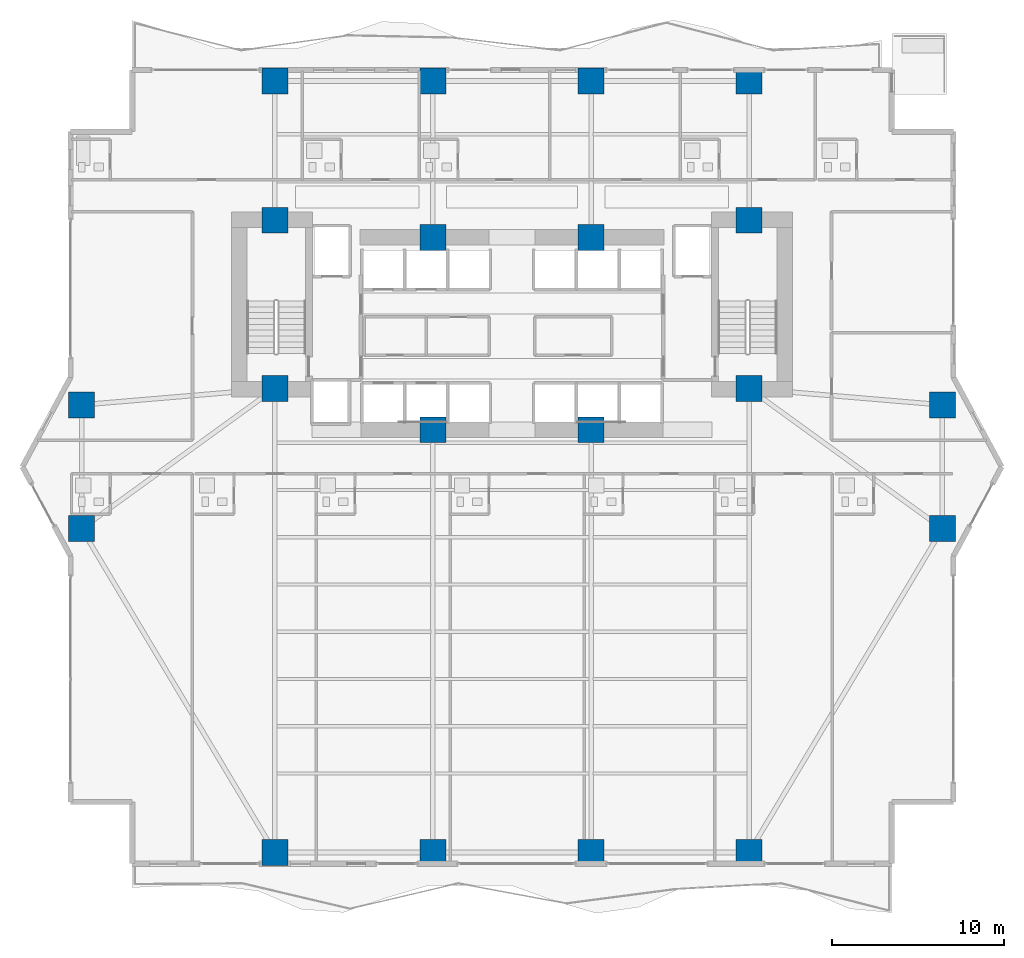
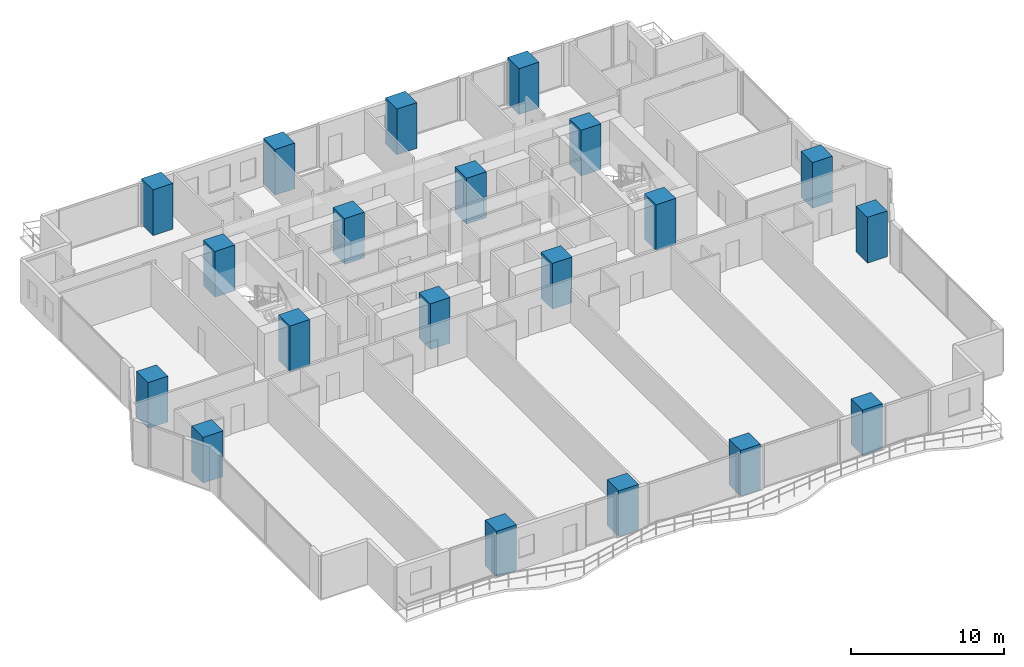
# One storey, part 1 of 28: 20 columns.
"""IFC4 building model written with IfcOpenShell, lengths in metres."""

from ifc_helpers import new_model, si_unit, direction, frame, origin, origin_2d, place, context, subcontext, project, spatial, rectangle, extrude, material, material_profile, profile_set, type_object, element, save


model = new_model("IFC4")

# Units and contexts
model_context = context("Model", 3, precision=1e-05, world=origin(), true_north=direction((0.0, 1.0)))
body_context = subcontext(model_context, "Body", "Model", "MODEL_VIEW")
ifc_project = project(units=[si_unit("LENGTHUNIT", "METRE"), si_unit("AREAUNIT", "SQUARE_METRE"), si_unit("VOLUMEUNIT", "CUBIC_METRE"), si_unit("PLANEANGLEUNIT", "RADIAN"), si_unit("MASSUNIT", "GRAM", prefix="KILO")], contexts=[model_context])

# Site, building, storey
site_placement = place(None, origin())
site = spatial("IfcSite", under=ifc_project, at=site_placement, CompositionType="ELEMENT")
building_placement = place(site_placement, origin())
building = spatial("IfcBuilding", under=site, at=building_placement, Name="Zuhayl Quay Hotel", CompositionType="ELEMENT")
storey_placement = place(building_placement, frame((0.0, 0.0, 49.5)))
storey = spatial("IfcBuildingStorey", under=building, at=storey_placement, Name="L11", CompositionType="ELEMENT", Elevation=49.5)

# Columns
ifc_material = material(Name="Concrete C70/85", Category="concrete")
ifc_material_profile_1 = material_profile(ifc_material, rectangle(XDim=1.5, YDim=1.5, at=origin_2d()), Name="RC1500X1500")
ifc_profile_set_1 = profile_set([ifc_material_profile_1], Name="Concrete C70/85")
column_type_1 = type_object("IfcColumnType", Name="CL_CC1_1500", PredefinedType="COLUMN", material=ifc_profile_set_1)
for number, where, z_axis, x_axis, name in (
    (1, (-13.800048828125, 14.35009765625, 0.0), (0.0, 0.0, 1.0), (1.0, 0.0, 0.0), "L11 Core Column CC_NW"),
    (2, (-4.60009765625, 13.35009765625, 0.0), (0.0, 0.0, 1.0), (1.0, 0.0, 0.0), "L11 Core Column CC_CNW"),
    (3, (4.60009765625, 13.35009765625, 0.0), (0.0, 0.0, 1.0), (1.0, 0.0, 0.0), "L11 Core Column CC_CNE"),
    (4, (13.800048828125, 14.35009765625, 0.0), (0.0, 0.0, 1.0), (1.0, 0.0, 0.0), "L11 Core Column CC_NE"),
    (5, (-13.800048828125, 4.550048828125, 0.0), (0.0, 0.0, 1.0), (1.0, 0.0, 0.0), "L11 Core Column CC_SW"),
    (6, (-4.60009765625, 2.14990234375, 0.0), (0.0, 0.0, 1.0), (1.0, 0.0, 0.0), "L11 Core Column CC_CSW"),
    (7, (4.60009765625, 2.14990234375, 0.0), (0.0, 0.0, 1.0), (1.0, 0.0, 0.0), "L11 Core Column CC_CSE"),
    (8, (13.800048828125, 4.550048828125, 0.0), (0.0, 0.0, 1.0), (1.0, 0.0, 0.0), "L11 Core Column CC_SE"),
):
    element("IfcColumn", number, at=place(storey_placement, frame(where, z_axis=z_axis, x_axis=x_axis)), inside=storey, type_object=column_type_1, Name=name, PredefinedType="COLUMN", context=body_context, shape_type="SweptSolid", body=[
        extrude(rectangle(XDim=1.5, YDim=1.5, at=origin_2d()), origin(), (0.0, 0.0, 1.0), 3.64990234375),
    ])
ifc_material_profile_2 = material_profile(ifc_material, rectangle(XDim=1.5, YDim=1.5, at=origin_2d()), Name="RC1500X1500")
ifc_profile_set_2 = profile_set([ifc_material_profile_2], Name="Concrete C70/85")
column_type_2 = type_object("IfcColumnType", Name="CL_MC1_1500", PredefinedType="COLUMN", material=ifc_profile_set_2)
for number, where, z_axis, x_axis, name in (
    (9, (-13.800048828125, -22.449951171875, 0.0), (0.0, 0.0, 1.0), (1.0, 0.0, 0.0), "L11 Mega-Column MC_S1"),
    (10, (-4.60009765625, -22.449951171875, 0.0), (0.0, 0.0, 1.0), (1.0, 0.0, 0.0), "L11 Mega-Column MC_S2"),
    (11, (4.60009765625, -22.449951171875, 0.0), (0.0, 0.0, 1.0), (1.0, 0.0, 0.0), "L11 Mega-Column MC_S3"),
    (12, (13.800048828125, -22.449951171875, 0.0), (0.0, 0.0, 1.0), (1.0, 0.0, 0.0), "L11 Mega-Column MC_S4"),
    (13, (-13.800048828125, 22.449951171875, 0.0), (0.0, 0.0, 1.0), (1.0, 0.0, 0.0), "L11 Mega-Column MC_N1"),
    (14, (-4.60009765625, 22.449951171875, 0.0), (0.0, 0.0, 1.0), (1.0, 0.0, 0.0), "L11 Mega-Column MC_N2"),
    (15, (4.60009765625, 22.449951171875, 0.0), (0.0, 0.0, 1.0), (1.0, 0.0, 0.0), "L11 Mega-Column MC_N3"),
    (16, (13.800048828125, 22.449951171875, 0.0), (0.0, 0.0, 1.0), (1.0, 0.0, 0.0), "L11 Mega-Column MC_N4"),
    (17, (-25.050048828125, -3.60009765625, 0.0), (0.0, 0.0, 1.0), (1.0, 0.0, 0.0), "L11 Mega-Column MC_W1"),
    (18, (-25.050048828125, 3.60009765625, 0.0), (0.0, 0.0, 1.0), (1.0, 0.0, 0.0), "L11 Mega-Column MC_W2"),
    (19, (25.050048828125, -3.60009765625, 0.0), (0.0, 0.0, 1.0), (1.0, 0.0, 0.0), "L11 Mega-Column MC_E1"),
    (20, (25.050048828125, 3.60009765625, 0.0), (0.0, 0.0, 1.0), (1.0, 0.0, 0.0), "L11 Mega-Column MC_E2"),
):
    element("IfcColumn", number, at=place(storey_placement, frame(where, z_axis=z_axis, x_axis=x_axis)), inside=storey, type_object=column_type_2, Name=name, PredefinedType="COLUMN", context=body_context, shape_type="SweptSolid", body=[
        extrude(rectangle(XDim=1.5, YDim=1.5, at=origin_2d()), origin(), (0.0, 0.0, 1.0), 3.64990234375),
    ])

save(model, "model.ifc")
